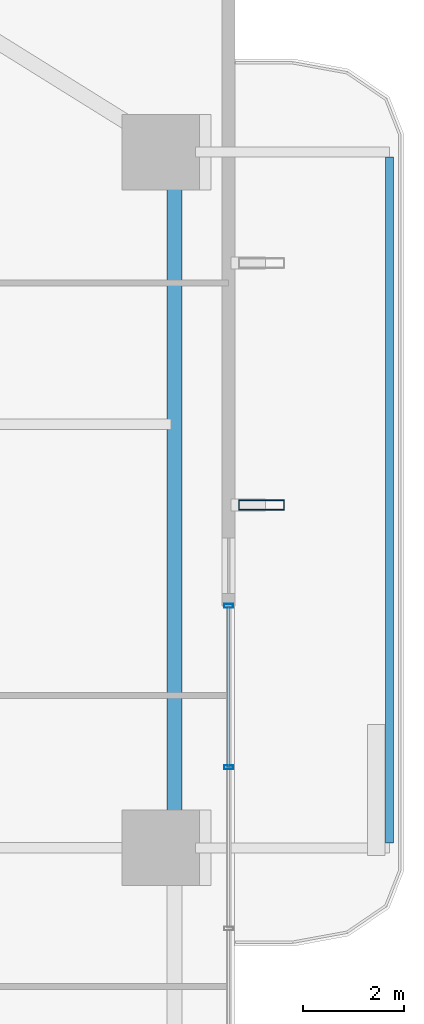
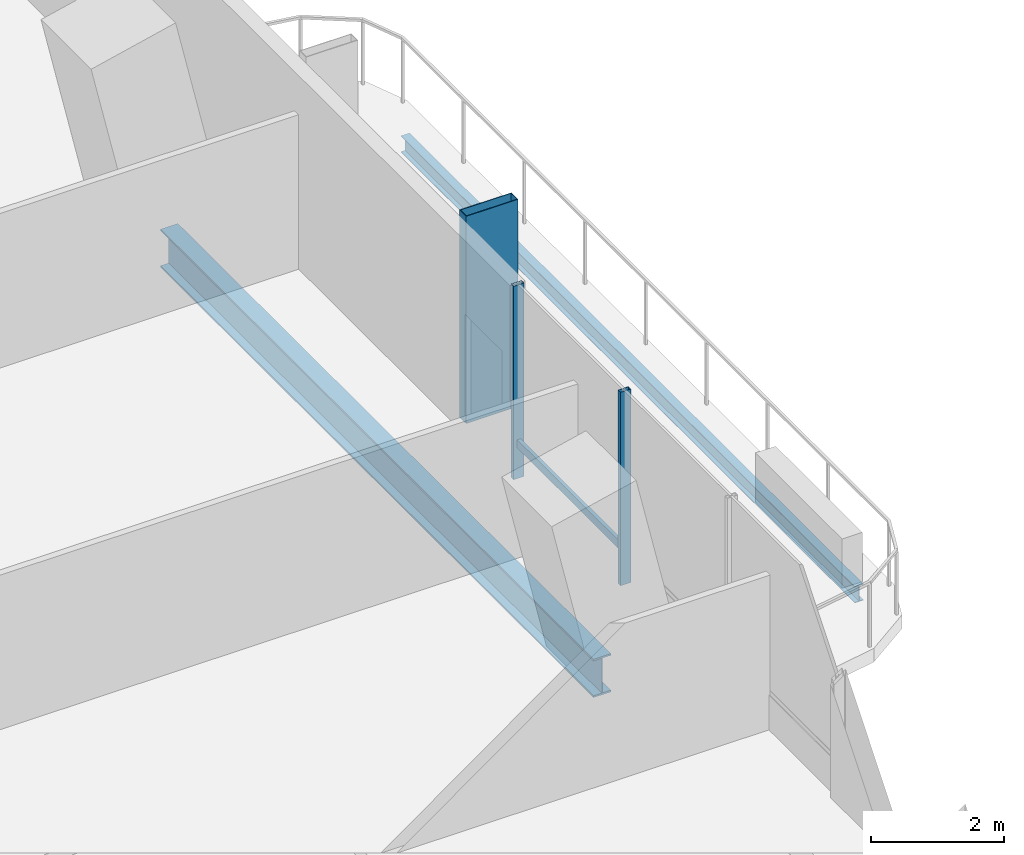
# One storey, part 13 of 24: 4 members, 2 beams, 1 element without a shape of its own.
"""IFC4 building model written with IfcOpenShell, lengths in metres."""

import ifcopenshell
import ifcopenshell.guid

model = None  # the IFC model being written
_history = None  # IfcOwnerHistory: only IFC2X3 demands one
_inside = {}  # id of a spatial element -> (the spatial element, [elements in it])
_under = {}  # id of a project, library or spatial element -> (it, [spatial elements below it])
_declared = {}  # id of a project -> (the project, [libraries it declares])
_typed = {}  # id of a type object -> (the type object, [elements of that type])
_made_of = {}  # id of a material, layer set ... -> (it, [elements and type objects made of it])


def new_model(schema):
    """Start an empty IFC model of exactly this schema.

    Asked for "IFC4X3", IfcOpenShell would pick the latest addendum, in which some entities
    have other attributes; the version numbers below select the first issue.
    IFC2X3 requires an IfcOwnerHistory on every rooted entity: one is made here for all.
    """
    global model, _history
    if schema == "IFC4X3":
        model = ifcopenshell.file(schema_version=(4, 3, 0, 0))
    else:
        model = ifcopenshell.file(schema=schema)
    _inside.clear()
    _under.clear()
    _declared.clear()
    _typed.clear()
    _made_of.clear()
    _history = None
    if model.schema == "IFC2X3":
        org = make("IfcOrganization", Name="unknown")
        user = make(
            "IfcPersonAndOrganization",
            ThePerson=make("IfcPerson", FamilyName="unknown"),
            TheOrganization=org,
        )
        app = make(
            "IfcApplication",
            ApplicationDeveloper=org,
            Version="unknown",
            ApplicationFullName="unknown",
            ApplicationIdentifier="unknown",
        )
        _history = make(
            "IfcOwnerHistory",
            OwningUser=user,
            OwningApplication=app,
            ChangeAction="ADDED",
            CreationDate=0,
        )
    return model


def make(cls, **values):
    """One entity of the class cls with the attributes given. An attribute that is None is left unset."""
    return model.create_entity(
        cls, **{name: value for name, value in values.items() if value is not None}
    )


def rooted(cls, **values):
    """An entity with a GlobalId (a new one), such as an element, a storey or a relation."""
    return make(cls, GlobalId=ifcopenshell.guid.new(), OwnerHistory=_history, **values)


def si_unit(unit_type, name, prefix=None):
    """IfcSIUnit, for example si_unit("LENGTHUNIT", "METRE", prefix="MILLI")."""
    return make("IfcSIUnit", UnitType=unit_type, Prefix=prefix, Name=name)


def assignment(units):
    """IfcUnitAssignment: the units of a project."""
    return None if units is None else make("IfcUnitAssignment", Units=units)


def point(xyz):
    """IfcCartesianPoint."""
    return None if xyz is None else make("IfcCartesianPoint", Coordinates=xyz)


def direction(xyz):
    """IfcDirection."""
    return None if xyz is None else make("IfcDirection", DirectionRatios=xyz)


def frame(location, z_axis=None, x_axis=None):
    """IfcAxis2Placement3D, a coordinate frame: its origin and axes. An axis left out is left unset."""
    return make(
        "IfcAxis2Placement3D",
        Location=point(location),
        Axis=direction(z_axis),
        RefDirection=direction(x_axis),
    )


def frame_2d(location, x_axis=None):
    """IfcAxis2Placement2D, a coordinate frame in the plane: its origin and x axis."""
    return make(
        "IfcAxis2Placement2D", Location=point(location), RefDirection=direction(x_axis)
    )


def origin():
    """The frame at (0, 0, 0) with its axes left unset."""
    return frame((0.0, 0.0, 0.0))


def origin_2d():
    """The frame at (0, 0) in the plane with its x axis left unset."""
    return frame_2d((0.0, 0.0))


def place(relative_to, where):
    """IfcLocalPlacement: puts the frame where relative to a parent placement (None: the world)."""
    return make(
        "IfcLocalPlacement", PlacementRelTo=relative_to, RelativePlacement=where
    )


def context(
    kind, dimensions, precision=None, world=None, true_north=None, identifier=None
):
    """IfcGeometricRepresentationContext, for example the 3D "Model" context."""
    return make(
        "IfcGeometricRepresentationContext",
        ContextIdentifier=identifier,
        ContextType=kind,
        CoordinateSpaceDimension=dimensions,
        Precision=precision,
        WorldCoordinateSystem=world,
        TrueNorth=true_north,
    )


def subcontext(parent, identifier, kind, view, scale=None):
    """IfcGeometricRepresentationSubContext, for example "Body" below "Model"."""
    return make(
        "IfcGeometricRepresentationSubContext",
        ContextIdentifier=identifier,
        ContextType=kind,
        ParentContext=parent,
        TargetScale=scale,
        TargetView=view,
    )


def project(units=None, contexts=None):
    """IfcProject with its units and contexts."""
    return rooted(
        "IfcProject",
        Name="project",
        RepresentationContexts=contexts,
        UnitsInContext=assignment(units),
    )


def spatial(cls, under=None, at=None, **own):
    """A site, building, storey or space (cls), placed at a placement, below another one or the project."""
    s = rooted(cls, ObjectPlacement=at, **own)
    if under is not None:
        _under.setdefault(under.id(), (under, []))[1].append(s)
    return s


def profile(cls, at=None, kind="AREA", **sizes):
    """A parametric profile (cls). Its sizes go by their IFC names, for example OverallWidth=200.0."""
    return make(cls, ProfileType=kind, Position=at, **sizes)


def hollow_rectangle(**sizes):
    """IfcRectangleHollowProfileDef."""
    return profile("IfcRectangleHollowProfileDef", **sizes)


def i_section(**sizes):
    """IfcIShapeProfileDef."""
    return profile("IfcIShapeProfileDef", **sizes)


def extrude(swept, where, along, depth):
    """IfcExtrudedAreaSolid: the profile swept, set in the frame where, extruded along a direction by depth."""
    return make(
        "IfcExtrudedAreaSolid",
        SweptArea=swept,
        Position=where,
        ExtrudedDirection=direction(along),
        Depth=depth,
    )


def shape(context_of_items, identifier, shape_type, items):
    """IfcShapeRepresentation: the items that make up one representation, for example the "Body"."""
    return make(
        "IfcShapeRepresentation",
        ContextOfItems=context_of_items,
        RepresentationIdentifier=identifier,
        RepresentationType=shape_type,
        Items=items,
    )


def material(Name=None, Category=None):
    """IfcMaterial."""
    return make("IfcMaterial", Name=Name, Category=Category)


def layer(
    of_material, thickness, ventilated=None, Name=None, Category=None, Priority=None
):
    """IfcMaterialLayer: one layer of a wall or slab, of a material (None: an air gap)."""
    return make(
        "IfcMaterialLayer",
        Material=of_material,
        LayerThickness=thickness,
        IsVentilated=ventilated,
        Name=Name,
        Category=Category,
        Priority=Priority,
    )


def layer_set(layers, Name=None):
    """IfcMaterialLayerSet."""
    return make("IfcMaterialLayerSet", MaterialLayers=layers, LayerSetName=Name)


def material_profile(
    of_material, cross_section, Name=None, Category=None, Priority=None
):
    """IfcMaterialProfile: a cross section and its material."""
    return make(
        "IfcMaterialProfile",
        Name=Name,
        Material=of_material,
        Profile=cross_section,
        Priority=Priority,
        Category=Category,
    )


def profile_set(profiles, Name=None, composite=None):
    """IfcMaterialProfileSet."""
    return make(
        "IfcMaterialProfileSet",
        Name=Name,
        MaterialProfiles=profiles,
        CompositeProfile=composite,
    )


def made_of(thing, what):
    """Note that an element or type object is made of a material, layer set ...; save() writes the relation."""
    if what is not None:
        _made_of.setdefault(what.id(), (what, []))[1].append(thing)
    return thing


def type_object(cls, material=None, **own):
    """A type object (cls), such as IfcWallType, which elements share."""
    return made_of(rooted(cls, **own), material)


def element(
    cls,
    number,
    at=None,
    inside=None,
    cuts=None,
    type_object=None,
    material=None,
    context=None,
    identifier="Body",
    shape_type=None,
    held_by="IfcProductDefinitionShape",
    body=None,
    shapes=None,
    **own,
):
    """One element of the class cls, such as IfcWall. Its Tag is "e" and its number.

    at: its placement. inside: the storey or other place that contains it. cuts: it is an
    opening in that element (IfcRelVoidsElement). A single representation is given by context,
    identifier, shape_type and body (its items); several are given by shapes. held_by: the class
    of the entity that holds the representations. save() writes the other relations.
    """
    e = rooted(cls, Tag="e%d" % number, ObjectPlacement=at, **own)
    if body is not None:
        shapes = [shape(context, identifier, shape_type, body)]
    if shapes is not None:
        e.Representation = make(held_by, Representations=shapes)
    if inside is not None:
        _inside.setdefault(inside.id(), (inside, []))[1].append(e)
    if cuts is not None:
        rooted(
            "IfcRelVoidsElement", RelatingBuildingElement=cuts, RelatedOpeningElement=e
        )
    if type_object is not None:
        _typed.setdefault(type_object.id(), (type_object, []))[1].append(e)
    return made_of(e, material)


def aggregate(whole, parts):
    """IfcRelAggregates: a whole, such as a stair, and the parts it consists of."""
    return rooted("IfcRelAggregates", RelatingObject=whole, RelatedObjects=parts)


def save(model, path):
    """Write the relations noted so far, then the file.

    IfcRelAggregates (storeys below a building ...), IfcRelContainedInSpatialStructure (elements
    in a storey), IfcRelDefinesByType, IfcRelAssociatesMaterial and IfcRelDeclares: one each for
    every whole, place, type object, material and project.
    """
    for whole, parts in _under.values():
        aggregate(whole, parts)
    for where, things in _inside.values():
        rooted(
            "IfcRelContainedInSpatialStructure",
            RelatedElements=things,
            RelatingStructure=where,
        )
    for kind, things in _typed.values():
        rooted("IfcRelDefinesByType", RelatedObjects=things, RelatingType=kind)
    for what, things in _made_of.values():
        rooted("IfcRelAssociatesMaterial", RelatedObjects=things, RelatingMaterial=what)
    for by, libraries in _declared.values():
        rooted("IfcRelDeclares", RelatingContext=by, RelatedDefinitions=libraries)
    model.write(path)


model = new_model("IFC4")

# Units and contexts
model_context = context("Model", 3, precision=1e-05, world=origin(), true_north=direction((0.0, 1.0)))
body_context = subcontext(model_context, "Body", "Model", "MODEL_VIEW")
ifc_project = project(units=[si_unit("LENGTHUNIT", "METRE"), si_unit("AREAUNIT", "SQUARE_METRE"), si_unit("VOLUMEUNIT", "CUBIC_METRE"), si_unit("PLANEANGLEUNIT", "RADIAN"), si_unit("MASSUNIT", "GRAM", prefix="KILO")], contexts=[model_context])

# Site, building, storey
site_placement = place(None, origin())
site = spatial("IfcSite", under=ifc_project, at=site_placement, CompositionType="ELEMENT")
building_placement = place(site_placement, origin())
building = spatial("IfcBuilding", under=site, at=building_placement, Name="Belovzor Exchange Tower", CompositionType="ELEMENT")
storey_placement = place(building_placement, frame((0.0, 0.0, 104.10009765625)))
storey = spatial("IfcBuildingStorey", under=building, at=storey_placement, Name="L25", CompositionType="ELEMENT", Elevation=104.10009765625)

# Beam
ifc_material_1 = material(Name="Steel S355", Category="steel")
ifc_material_profile_1 = material_profile(ifc_material_1, i_section(OverallWidth=0.14990234375, OverallDepth=0.300048828125, WebThickness=0.007080078125, FlangeThickness=0.0107421875, at=origin_2d()))
ifc_profile_set_1 = profile_set([ifc_material_profile_1], Name="Steel S355")
beam_type_1 = type_object("IfcBeamType", Name="Planted Balcony Fascia Edge Beam IPE 300", PredefinedType="BEAM", material=ifc_profile_set_1)
beam_1_placement = place(storey_placement, frame((59.762939453125, 28.89990234375, -0.400146484375), z_axis=(0.0, 1.0, 0.0), x_axis=(-1.0, 0.0, 0.0)))
element("IfcBeam", 1, at=beam_1_placement, inside=storey, type_object=beam_type_1, Name="BC-300 Planted Balcony Fascia Edge Beam IPE 300", PredefinedType="BEAM", context=body_context, shape_type="SweptSolid", body=[
    extrude(i_section(OverallWidth=0.14990234375, OverallDepth=0.300048828125, WebThickness=0.007080078125, FlangeThickness=0.0107421875, at=origin_2d()), origin(), (0.0, 0.0, 1.0), 13.60009765625),
])

# Member
ifc_material_2 = material(Name="Extruded Architectural Terracotta on Steel S355 Carrier", Category="masonry")
ifc_material_profile_2 = material_profile(ifc_material_2, hollow_rectangle(XDim=0.199951171875, YDim=0.89990234375, WallThickness=0.011962890625, at=origin_2d()))
ifc_profile_set_2 = profile_set([ifc_material_profile_2], Name="Extruded Architectural Terracotta on Steel S355 Carrier")
member_type_1 = type_object("IfcMemberType", Name="Sweeping Terracotta Baguette Fin Assembly 1250", PredefinedType="USERDEFINED", material=ifc_profile_set_2)
member_1_placement = place(storey_placement, frame((57.22509765625, 35.60009765625, -0.25), z_axis=(0.0, 0.0, 1.0), x_axis=(0.0, 1.0, 0.0)))
element("IfcMember", 2, at=member_1_placement, inside=storey, type_object=member_type_1, Name="FIN-TC125 Terracotta Facade Fin L25 E3", ObjectType="FIN", PredefinedType="USERDEFINED", context=body_context, shape_type="SweptSolid", body=[
    extrude(hollow_rectangle(XDim=0.199951171875, YDim=0.89990234375, WallThickness=0.011962890625, at=origin_2d()), origin(), (0.0, 0.0, 1.0), 3.789794921875),
])

# Curtain wall, members
ifc_material_3 = material(Name="Anodised Aluminium Framing", Category="aluminium")
ifc_layer = layer(ifc_material_3, 0.179931640625)
ifc_layer_set = layer_set([ifc_layer], Name="Anodised Aluminium Framing")
curtain_wall_type = type_object("IfcCurtainWallType", Name="Recessed Loggia Low-Iron Triple-Glazed Curtain Wall", PredefinedType="NOTDEFINED", material=ifc_layer_set)
curtain_wall_placement = place(storey_placement, origin())
curtain_wall = element("IfcCurtainWall", 3, at=curtain_wall_placement, inside=storey, type_object=curtain_wall_type, Name="CW3 Recessed Loggia Low-Iron Triple-Glazed Curtain Wall L25", PredefinedType="NOTDEFINED")
ifc_material_4 = material(Name="Steel S355", Category="steel")
ifc_material_profile_3 = material_profile(ifc_material_4, hollow_rectangle(XDim=0.074951171875, YDim=0.179931640625, WallThickness=0.0048828125, at=origin_2d()))
ifc_profile_set_3 = profile_set([ifc_material_profile_3], Name="Steel S355")
member_type_2 = type_object("IfcMemberType", Name="Thermally Broken Curtain Wall Mullion 180x75", PredefinedType="MULLION", material=ifc_profile_set_3)
member_2_placement = place(storey_placement, frame((56.570068359375, 33.60009765625, 0.0), z_axis=(0.0, 0.0, 1.0), x_axis=(0.0, -1.0, 0.0)))
member_2 = element("IfcMember", 4, at=member_2_placement, type_object=member_type_2, Name="CW-M180 Curtain Wall Mullion 1", PredefinedType="MULLION", context=body_context, shape_type="SweptSolid", body=[
    extrude(hollow_rectangle(XDim=0.074951171875, YDim=0.179931640625, WallThickness=0.0048828125, at=origin_2d()), origin(), (0.0, 0.0, 1.0), 3.539794921875),
])
member_3_placement = place(storey_placement, frame((56.570068359375, 30.39990234375, 0.0), z_axis=(0.0, 0.0, 1.0), x_axis=(0.0, -1.0, 0.0)))
member_3 = element("IfcMember", 5, at=member_3_placement, type_object=member_type_2, Name="CW-M180 Curtain Wall Mullion 2", PredefinedType="MULLION", context=body_context, shape_type="SweptSolid", body=[
    extrude(hollow_rectangle(XDim=0.074951171875, YDim=0.179931640625, WallThickness=0.0048828125, at=origin_2d()), origin(), (0.0, 0.0, 1.0), 3.539794921875),
])
ifc_material_5 = material(Name="Steel S355", Category="steel")
ifc_material_profile_4 = material_profile(ifc_material_5, hollow_rectangle(XDim=0.06005859375, YDim=0.14990234375, WallThickness=0.00390625, at=origin_2d()))
ifc_profile_set_4 = profile_set([ifc_material_profile_4], Name="Steel S355")
member_type_3 = type_object("IfcMemberType", Name="Thermally Broken Curtain Wall Transom 150x60", PredefinedType="USERDEFINED", material=ifc_profile_set_4)
member_4_placement = place(storey_placement, frame((56.570068359375, 33.592041015625, 0.636962890625), z_axis=(0.0, -1.0, 0.0), x_axis=(1.0, 0.0, 0.0)))
member_4 = element("IfcMember", 6, at=member_4_placement, type_object=member_type_3, Name="CW-T150 Curtain Wall Transom 1", ObjectType="TRANSOM", PredefinedType="USERDEFINED", context=body_context, shape_type="SweptSolid", body=[
    extrude(hollow_rectangle(XDim=0.06005859375, YDim=0.14990234375, WallThickness=0.00390625, at=origin_2d()), origin(), (0.0, 0.0, 1.0), 3.18408203125),
])
aggregate(curtain_wall, [member_2, member_3, member_4])

# Beam
ifc_material_6 = material(Name="Steel S355", Category="steel")
ifc_material_profile_5 = material_profile(ifc_material_6, i_section(OverallWidth=0.300048828125, OverallDepth=0.699951171875, WebThickness=0.01708984375, FlangeThickness=0.031982421875, at=origin_2d()))
ifc_profile_set_5 = profile_set([ifc_material_profile_5], Name="Steel S355")
beam_type_2 = type_object("IfcBeamType", Name="Zone 1 Primary Perimeter Girder HEB 700", PredefinedType="BEAM", material=ifc_profile_set_5)
beam_2_placement = place(storey_placement, frame((55.5, 29.212890625, -0.60009765625), z_axis=(0.0, 1.0, 0.0), x_axis=(-1.0, 0.0, 0.0)))
element("IfcBeam", 7, at=beam_2_placement, inside=storey, type_object=beam_type_2, Name="FG-Z1 Zone 1 Primary Perimeter Girder HEB 700", PredefinedType="BEAM", context=body_context, shape_type="SweptSolid", body=[
    extrude(i_section(OverallWidth=0.300048828125, OverallDepth=0.699951171875, WebThickness=0.01708984375, FlangeThickness=0.031982421875, at=origin_2d()), origin(), (0.0, 0.0, 1.0), 12.97509765625),
])

save(model, "model.ifc")
